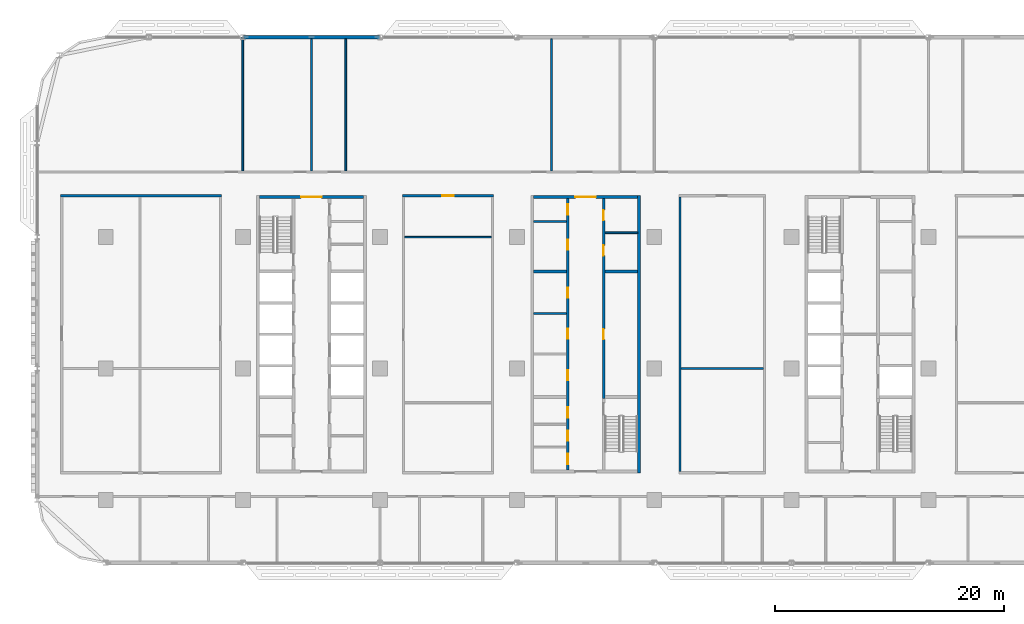
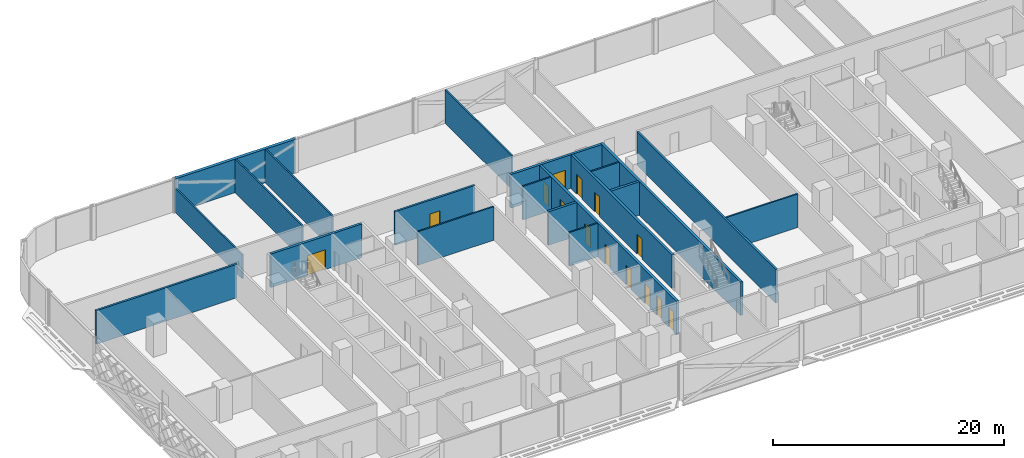
# One storey, part 15 of 29: 20 walls, 14 doors, 14 openings.
"""IFC4 building model written with IfcOpenShell, lengths in metres."""

from ifc_helpers import new_model, si_unit, direction, frame, frame_2d, origin, place, context, subcontext, project, spatial, rectangle, extrude, material, layer, layer_set, type_object, element, fill, save


model = new_model("IFC4")

# Units and contexts
model_context = context("Model", 3, precision=1e-05, world=origin(), true_north=direction((0.0, 1.0)))
body_context = subcontext(model_context, "Body", "Model", "MODEL_VIEW")
ifc_project = project(units=[si_unit("LENGTHUNIT", "METRE"), si_unit("AREAUNIT", "SQUARE_METRE"), si_unit("VOLUMEUNIT", "CUBIC_METRE"), si_unit("PLANEANGLEUNIT", "RADIAN"), si_unit("MASSUNIT", "GRAM", prefix="KILO")], contexts=[model_context])

# Site, building, storey
site_placement = place(None, origin())
site = spatial("IfcSite", under=ifc_project, at=site_placement, CompositionType="ELEMENT")
building_placement = place(site_placement, origin())
building = spatial("IfcBuilding", under=site, at=building_placement, Name="Mahtab Terrace Research Tower", CompositionType="ELEMENT")
storey_placement = place(building_placement, frame((0.0, 0.0, 150.699951171875)))
storey = spatial("IfcBuildingStorey", under=building, at=storey_placement, Name="L35", CompositionType="ELEMENT", Elevation=150.699951171875)

# Walls
ifc_material_1 = material(Name="Gypsum board partition")
ifc_layer_1 = layer(ifc_material_1, 0.14990234375)
ifc_layer_set_1 = layer_set([ifc_layer_1], Name="Core partition 150")
wall_type_1 = type_object("IfcWallType", Name="Core partition 150", PredefinedType="PARTITIONING", material=ifc_layer_set_1)
for number, where, z_axis, x_axis, name in (
    (1, (-4.550048828125, 4.827392578125, 0.0), (0.0, 0.0, 1.0), (1.0, 0.0, 0.0), "Core wall B pWL183"),
    (2, (-4.550048828125, 12.875, 0.0), (0.0, 0.0, 1.0), (1.0, 0.0, 0.0), "Core wall B pWN988"),
    (3, (1.699951171875, 11.875, 0.0), (0.0, 0.0, 1.0), (1.0, 0.0, 0.0), "Core wall B pEN888"),
):
    element("IfcWall", number, at=place(storey_placement, frame(where, z_axis=z_axis, x_axis=x_axis)), inside=storey, type_object=wall_type_1, Name=name, PredefinedType="PARTITIONING", context=body_context, shape_type="SweptSolid", body=[
        extrude(rectangle(XDim=2.85009765625, YDim=0.14990234375, at=frame_2d((1.425048828125, 0.0))), origin(), (0.0, 0.0, 1.0), 3.550048828125),
    ])

# Wall, opening, door
ifc_material_2 = material(Name="Concrete C70/85", Category="concrete")
ifc_layer_2 = layer(ifc_material_2, 0.25)
ifc_layer_set_2 = layer_set([ifc_layer_2], Name="Core wall 250")
wall_type_2 = type_object("IfcWallType", Name="Core wall 250", PredefinedType="SOLIDWALL", material=ifc_layer_set_2)
wall_1_placement = place(storey_placement, frame((-28.550048828125, 15.0, 0.0), z_axis=(0.0, 0.0, 1.0), x_axis=(1.0, 0.0, 0.0)))
wall_1 = element("IfcWall", 4, at=wall_1_placement, inside=storey, type_object=wall_type_2, Name="Core wall A endN", PredefinedType="SOLIDWALL", context=body_context, shape_type="SweptSolid", body=[
    extrude(rectangle(XDim=9.10009765625, YDim=0.25, at=frame_2d((4.550048828125, 0.0))), origin(), (0.0, 0.0, 1.0), 3.550048828125),
])
opening_1_placement = place(wall_1_placement, frame((3.64990234375, 0.0, 0.0)))
opening_1 = element("IfcOpeningElement", 5, at=opening_1_placement, cuts=wall_1, Name="Opening A-N1", PredefinedType="OPENING", context=body_context, shape_type="SweptSolid", body=[
    extrude(rectangle(XDim=1.800048828125, YDim=2.10009765625, at=frame_2d((0.89990234375, 1.050048828125))), frame((0.0, 0.135009765625, 0.0), z_axis=(0.0, -1.0, 0.0), x_axis=(1.0, 0.0, 0.0)), (0.0, 0.0, 1.0), 0.27001953125),
])
ifc_material_3 = material(Name="Steel fire door", Category="steel")
door_type_1 = type_object("IfcDoorType", Name="Lobby double door 1800x2100 1 HR", OperationType="DOUBLE_DOOR_SINGLE_SWING", PredefinedType="DOOR", material=ifc_material_3)
door_1_placement = place(opening_1_placement, origin())
door_1 = element("IfcDoor", 6, at=door_1_placement, inside=storey, type_object=door_type_1, Name="Core entrance door A N", OperationType="DOUBLE_DOOR_SINGLE_SWING", OverallHeight=2.10009765625, OverallWidth=1.800048828125, PredefinedType="DOOR", context=body_context, shape_type="SweptSolid", body=[
    extrude(rectangle(XDim=1.800048828125, YDim=2.10009765625, at=frame_2d((0.89990234375, 1.050048828125))), frame((0.0, 0.02490234375, 0.0), z_axis=(0.0, -1.0, 0.0), x_axis=(1.0, 0.0, 0.0)), (0.0, 0.0, 1.0), 0.050048828125),
])
fill(opening_1, door_1)

# Wall
wall_2_placement = place(storey_placement, frame((4.675048828125, -9.125, 0.0), z_axis=(0.0, 0.0, 1.0), x_axis=(0.0, 1.0, 0.0)))
element("IfcWall", 7, at=wall_2_placement, inside=storey, type_object=wall_type_2, Name="Core wall B outerE", PredefinedType="SOLIDWALL", context=body_context, shape_type="SweptSolid", body=[
    extrude(rectangle(XDim=24.25, YDim=0.25, at=frame_2d((12.125, 0.0))), origin(), (0.0, 0.0, 1.0), 3.550048828125),
])

# Wall, opening, door
wall_3_placement = place(storey_placement, frame((-4.550048828125, 15.0, 0.0), z_axis=(0.0, 0.0, 1.0), x_axis=(1.0, 0.0, 0.0)))
wall_3 = element("IfcWall", 8, at=wall_3_placement, inside=storey, type_object=wall_type_2, Name="Core wall B endN", PredefinedType="SOLIDWALL", context=body_context, shape_type="SweptSolid", body=[
    extrude(rectangle(XDim=9.10009765625, YDim=0.25, at=frame_2d((4.550048828125, 0.0))), origin(), (0.0, 0.0, 1.0), 3.550048828125),
])
opening_2_placement = place(wall_3_placement, frame((3.64990234375, 0.0, 0.0)))
opening_2 = element("IfcOpeningElement", 9, at=opening_2_placement, cuts=wall_3, Name="Opening B-N1", PredefinedType="OPENING", context=body_context, shape_type="SweptSolid", body=[
    extrude(rectangle(XDim=1.800048828125, YDim=2.10009765625, at=frame_2d((0.89990234375, 1.050048828125))), frame((0.0, 0.135009765625, 0.0), z_axis=(0.0, -1.0, 0.0), x_axis=(1.0, 0.0, 0.0)), (0.0, 0.0, 1.0), 0.27001953125),
])
door_2_placement = place(opening_2_placement, origin())
door_2 = element("IfcDoor", 10, at=door_2_placement, inside=storey, type_object=door_type_1, Name="Core entrance door B N", OperationType="DOUBLE_DOOR_SINGLE_SWING", OverallHeight=2.10009765625, OverallWidth=1.800048828125, PredefinedType="DOOR", context=body_context, shape_type="SweptSolid", body=[
    extrude(rectangle(XDim=1.800048828125, YDim=2.10009765625, at=frame_2d((0.89990234375, 1.050048828125))), frame((0.0, 0.02490234375, 0.0), z_axis=(0.0, -1.0, 0.0), x_axis=(1.0, 0.0, 0.0)), (0.0, 0.0, 1.0), 0.050048828125),
])
fill(opening_2, door_2)

# Wall, openings, doors
wall_4_placement = place(storey_placement, frame((-1.574951171875, -8.875, 0.0), z_axis=(0.0, 0.0, 1.0), x_axis=(0.0, 1.0, 0.0)))
wall_4 = element("IfcWall", 11, at=wall_4_placement, inside=storey, type_object=wall_type_2, Name="Core wall B innerWSLN", PredefinedType="SOLIDWALL", context=body_context, shape_type="SweptSolid", body=[
    extrude(rectangle(XDim=23.75, YDim=0.25, at=frame_2d((11.875, 0.0))), origin(), (0.0, 0.0, 1.0), 3.550048828125),
])
opening_3_placement = place(wall_4_placement, frame((7.840087890625, 0.0, 0.0)))
opening_3 = element("IfcOpeningElement", 12, at=opening_3_placement, cuts=wall_4, Name="Opening B-R1", PredefinedType="OPENING", context=body_context, shape_type="SweptSolid", body=[
    extrude(rectangle(XDim=0.89990234375, YDim=2.10009765625, at=frame_2d((0.449951171875, 1.050048828125))), frame((0.0, 0.135009765625, 0.0), z_axis=(0.0, -1.0, 0.0), x_axis=(1.0, 0.0, 0.0)), (0.0, 0.0, 1.0), 0.27001953125),
])
opening_4_placement = place(wall_4_placement, frame((11.478759765625, 0.0, 0.0)))
opening_4 = element("IfcOpeningElement", 13, at=opening_4_placement, cuts=wall_4, Name="Opening B-R2", PredefinedType="OPENING", context=body_context, shape_type="SweptSolid", body=[
    extrude(rectangle(XDim=0.89990234375, YDim=2.10009765625, at=frame_2d((0.449951171875, 1.050048828125))), frame((0.0, 0.135009765625, 0.0), z_axis=(0.0, -1.0, 0.0), x_axis=(1.0, 0.0, 0.0)), (0.0, 0.0, 1.0), 0.27001953125),
])
opening_5_placement = place(wall_4_placement, frame((15.063720703125, 0.0, 0.0)))
opening_5 = element("IfcOpeningElement", 14, at=opening_5_placement, cuts=wall_4, Name="Opening B-R3", PredefinedType="OPENING", context=body_context, shape_type="SweptSolid", body=[
    extrude(rectangle(XDim=0.89990234375, YDim=2.10009765625, at=frame_2d((0.449951171875, 1.050048828125))), frame((0.0, 0.135009765625, 0.0), z_axis=(0.0, -1.0, 0.0), x_axis=(1.0, 0.0, 0.0)), (0.0, 0.0, 1.0), 0.27001953125),
])
opening_6_placement = place(wall_4_placement, frame((0.512451171875, 0.0, 0.0)))
opening_6 = element("IfcOpeningElement", 15, at=opening_6_placement, cuts=wall_4, Name="Opening B-R5", PredefinedType="OPENING", context=body_context, shape_type="SweptSolid", body=[
    extrude(rectangle(XDim=0.89990234375, YDim=2.10009765625, at=frame_2d((0.449951171875, 1.050048828125))), frame((0.0, 0.135009765625, 0.0), z_axis=(0.0, -1.0, 0.0), x_axis=(1.0, 0.0, 0.0)), (0.0, 0.0, 1.0), 0.27001953125),
])
opening_7_placement = place(wall_4_placement, frame((2.550048828125, 0.0, 0.0)))
opening_7 = element("IfcOpeningElement", 16, at=opening_7_placement, cuts=wall_4, Name="Opening B-R6", PredefinedType="OPENING", context=body_context, shape_type="SweptSolid", body=[
    extrude(rectangle(XDim=0.89990234375, YDim=2.10009765625, at=frame_2d((0.449951171875, 1.050048828125))), frame((0.0, 0.135009765625, 0.0), z_axis=(0.0, -1.0, 0.0), x_axis=(1.0, 0.0, 0.0)), (0.0, 0.0, 1.0), 0.27001953125),
])
opening_8_placement = place(wall_4_placement, frame((4.58740234375, 0.0, 0.0)))
opening_8 = element("IfcOpeningElement", 17, at=opening_8_placement, cuts=wall_4, Name="Opening B-R7", PredefinedType="OPENING", context=body_context, shape_type="SweptSolid", body=[
    extrude(rectangle(XDim=0.89990234375, YDim=2.10009765625, at=frame_2d((0.449951171875, 1.050048828125))), frame((0.0, 0.135009765625, 0.0), z_axis=(0.0, -1.0, 0.0), x_axis=(1.0, 0.0, 0.0)), (0.0, 0.0, 1.0), 0.27001953125),
])
opening_9_placement = place(wall_4_placement, frame((19.262451171875, 0.0, 0.0)))
opening_9 = element("IfcOpeningElement", 18, at=opening_9_placement, cuts=wall_4, Name="Opening B-R8", PredefinedType="OPENING", context=body_context, shape_type="SweptSolid", body=[
    extrude(rectangle(XDim=0.89990234375, YDim=2.10009765625, at=frame_2d((0.449951171875, 1.050048828125))), frame((0.0, 0.135009765625, 0.0), z_axis=(0.0, -1.0, 0.0), x_axis=(1.0, 0.0, 0.0)), (0.0, 0.0, 1.0), 0.27001953125),
])
opening_10_placement = place(wall_4_placement, frame((22.33740234375, 0.0, 0.0)))
opening_10 = element("IfcOpeningElement", 19, at=opening_10_placement, cuts=wall_4, Name="Opening B-R9", PredefinedType="OPENING", context=body_context, shape_type="SweptSolid", body=[
    extrude(rectangle(XDim=0.89990234375, YDim=2.10009765625, at=frame_2d((0.449951171875, 1.050048828125))), frame((0.0, 0.135009765625, 0.0), z_axis=(0.0, -1.0, 0.0), x_axis=(1.0, 0.0, 0.0)), (0.0, 0.0, 1.0), 0.27001953125),
])
door_type_2 = type_object("IfcDoorType", Name="Room door 900x2100 1 HR", OperationType="NOTDEFINED", PredefinedType="DOOR", material=ifc_material_3)
door_3_placement = place(opening_3_placement, origin())
door_3 = element("IfcDoor", 20, at=door_3_placement, inside=storey, type_object=door_type_2, Name="Battery room door", OperationType="SINGLE_SWING_LEFT", OverallHeight=2.10009765625, OverallWidth=0.89990234375, PredefinedType="DOOR", context=body_context, shape_type="SweptSolid", body=[
    extrude(rectangle(XDim=0.89990234375, YDim=2.10009765625, at=frame_2d((0.449951171875, 1.050048828125))), frame((0.0, 0.02490234375, 0.0), z_axis=(0.0, -1.0, 0.0), x_axis=(1.0, 0.0, 0.0)), (0.0, 0.0, 1.0), 0.050048828125),
])
fill(opening_3, door_3)
door_4_placement = place(opening_4_placement, origin())
door_4 = element("IfcDoor", 21, at=door_4_placement, inside=storey, type_object=door_type_2, Name="Cooling plant room door", OperationType="SINGLE_SWING_RIGHT", OverallHeight=2.10009765625, OverallWidth=0.89990234375, PredefinedType="DOOR", context=body_context, shape_type="SweptSolid", body=[
    extrude(rectangle(XDim=0.89990234375, YDim=2.10009765625, at=frame_2d((0.449951171875, 1.050048828125))), frame((0.0, 0.02490234375, 0.0), z_axis=(0.0, -1.0, 0.0), x_axis=(1.0, 0.0, 0.0)), (0.0, 0.0, 1.0), 0.050048828125),
])
fill(opening_4, door_4)
door_5_placement = place(opening_5_placement, origin())
door_5 = element("IfcDoor", 22, at=door_5_placement, inside=storey, type_object=door_type_2, Name="Spare parts store door", OperationType="SINGLE_SWING_LEFT", OverallHeight=2.10009765625, OverallWidth=0.89990234375, PredefinedType="DOOR", context=body_context, shape_type="SweptSolid", body=[
    extrude(rectangle(XDim=0.89990234375, YDim=2.10009765625, at=frame_2d((0.449951171875, 1.050048828125))), frame((0.0, 0.02490234375, 0.0), z_axis=(0.0, -1.0, 0.0), x_axis=(1.0, 0.0, 0.0)), (0.0, 0.0, 1.0), 0.050048828125),
])
fill(opening_5, door_5)
door_6_placement = place(opening_6_placement, origin())
door_6 = element("IfcDoor", 23, at=door_6_placement, inside=storey, type_object=door_type_2, Name="Comms riser room door", OperationType="SINGLE_SWING_LEFT", OverallHeight=2.10009765625, OverallWidth=0.89990234375, PredefinedType="DOOR", context=body_context, shape_type="SweptSolid", body=[
    extrude(rectangle(XDim=0.89990234375, YDim=2.10009765625, at=frame_2d((0.449951171875, 1.050048828125))), frame((0.0, 0.02490234375, 0.0), z_axis=(0.0, -1.0, 0.0), x_axis=(1.0, 0.0, 0.0)), (0.0, 0.0, 1.0), 0.050048828125),
])
fill(opening_6, door_6)
door_7_placement = place(opening_7_placement, origin())
door_7 = element("IfcDoor", 24, at=door_7_placement, inside=storey, type_object=door_type_2, Name="Pantry door", OperationType="SINGLE_SWING_RIGHT", OverallHeight=2.10009765625, OverallWidth=0.89990234375, PredefinedType="DOOR", context=body_context, shape_type="SweptSolid", body=[
    extrude(rectangle(XDim=0.89990234375, YDim=2.10009765625, at=frame_2d((0.449951171875, 1.050048828125))), frame((0.0, 0.02490234375, 0.0), z_axis=(0.0, -1.0, 0.0), x_axis=(1.0, 0.0, 0.0)), (0.0, 0.0, 1.0), 0.050048828125),
])
fill(opening_7, door_7)
door_8_placement = place(opening_8_placement, origin())
door_8 = element("IfcDoor", 25, at=door_8_placement, inside=storey, type_object=door_type_2, Name="Cleaners store door", OperationType="SINGLE_SWING_LEFT", OverallHeight=2.10009765625, OverallWidth=0.89990234375, PredefinedType="DOOR", context=body_context, shape_type="SweptSolid", body=[
    extrude(rectangle(XDim=0.89990234375, YDim=2.10009765625, at=frame_2d((0.449951171875, 1.050048828125))), frame((0.0, 0.02490234375, 0.0), z_axis=(0.0, -1.0, 0.0), x_axis=(1.0, 0.0, 0.0)), (0.0, 0.0, 1.0), 0.050048828125),
])
fill(opening_8, door_8)
door_9_placement = place(opening_9_placement, origin())
door_9 = element("IfcDoor", 26, at=door_9_placement, inside=storey, type_object=door_type_2, Name="IT equipment room door", OperationType="SINGLE_SWING_RIGHT", OverallHeight=2.10009765625, OverallWidth=0.89990234375, PredefinedType="DOOR", context=body_context, shape_type="SweptSolid", body=[
    extrude(rectangle(XDim=0.89990234375, YDim=2.10009765625, at=frame_2d((0.449951171875, 1.050048828125))), frame((0.0, 0.02490234375, 0.0), z_axis=(0.0, -1.0, 0.0), x_axis=(1.0, 0.0, 0.0)), (0.0, 0.0, 1.0), 0.050048828125),
])
fill(opening_9, door_9)
door_10_placement = place(opening_10_placement, origin())
door_10 = element("IfcDoor", 27, at=door_10_placement, inside=storey, type_object=door_type_2, Name="Electrical riser room door", OperationType="SINGLE_SWING_LEFT", OverallHeight=2.10009765625, OverallWidth=0.89990234375, PredefinedType="DOOR", context=body_context, shape_type="SweptSolid", body=[
    extrude(rectangle(XDim=0.89990234375, YDim=2.10009765625, at=frame_2d((0.449951171875, 1.050048828125))), frame((0.0, 0.02490234375, 0.0), z_axis=(0.0, -1.0, 0.0), x_axis=(1.0, 0.0, 0.0)), (0.0, 0.0, 1.0), 0.050048828125),
])
fill(opening_10, door_10)

wall_5_placement = place(storey_placement, frame((1.574951171875, 14.875, 0.0), z_axis=(0.0, 0.0, 1.0), x_axis=(0.0, -1.0, 0.0)))
wall_5 = element("IfcWall", 28, at=wall_5_placement, inside=storey, type_object=wall_type_2, Name="Core wall B innerELN", PredefinedType="SOLIDWALL", context=body_context, shape_type="SweptSolid", body=[
    extrude(rectangle(XDim=17.5, YDim=0.25, at=frame_2d((8.75, 0.0))), origin(), (0.0, 0.0, 1.0), 3.550048828125),
])
opening_11_placement = place(wall_5_placement, frame((11.425048828125, 0.0, 0.0)))
opening_11 = element("IfcOpeningElement", 29, at=opening_11_placement, cuts=wall_5, Name="Opening B-R4", PredefinedType="OPENING", context=body_context, shape_type="SweptSolid", body=[
    extrude(rectangle(XDim=0.89990234375, YDim=2.10009765625, at=frame_2d((0.449951171875, 1.050048828125))), frame((0.0, 0.135009765625, 0.0), z_axis=(0.0, -1.0, 0.0), x_axis=(1.0, 0.0, 0.0)), (0.0, 0.0, 1.0), 0.27001953125),
])
opening_12_placement = place(wall_5_placement, frame((4.08740234375, 0.0, 0.0)))
opening_12 = element("IfcOpeningElement", 30, at=opening_12_placement, cuts=wall_5, Name="Opening B-R10", PredefinedType="OPENING", context=body_context, shape_type="SweptSolid", body=[
    extrude(rectangle(XDim=0.89990234375, YDim=2.10009765625, at=frame_2d((0.449951171875, 1.050048828125))), frame((0.0, 0.135009765625, 0.0), z_axis=(0.0, -1.0, 0.0), x_axis=(1.0, 0.0, 0.0)), (0.0, 0.0, 1.0), 0.27001953125),
])
opening_13_placement = place(wall_5_placement, frame((1.012451171875, 0.0, 0.0)))
opening_13 = element("IfcOpeningElement", 31, at=opening_13_placement, cuts=wall_5, Name="Opening B-R11", PredefinedType="OPENING", context=body_context, shape_type="SweptSolid", body=[
    extrude(rectangle(XDim=0.89990234375, YDim=2.10009765625, at=frame_2d((0.449951171875, 1.050048828125))), frame((0.0, 0.135009765625, 0.0), z_axis=(0.0, -1.0, 0.0), x_axis=(1.0, 0.0, 0.0)), (0.0, 0.0, 1.0), 0.27001953125),
])
door_11_placement = place(opening_11_placement, origin())
door_11 = element("IfcDoor", 32, at=door_11_placement, inside=storey, type_object=door_type_2, Name="Plant room door", OperationType="SINGLE_SWING_RIGHT", OverallHeight=2.10009765625, OverallWidth=0.89990234375, PredefinedType="DOOR", context=body_context, shape_type="SweptSolid", body=[
    extrude(rectangle(XDim=0.89990234375, YDim=2.10009765625, at=frame_2d((0.449951171875, 1.050048828125))), frame((0.0, 0.02490234375, 0.0), z_axis=(0.0, -1.0, 0.0), x_axis=(1.0, 0.0, 0.0)), (0.0, 0.0, 1.0), 0.050048828125),
])
fill(opening_11, door_11)
door_12_placement = place(opening_12_placement, origin())
door_12 = element("IfcDoor", 33, at=door_12_placement, inside=storey, type_object=door_type_2, Name="Staff WC door", OperationType="SINGLE_SWING_RIGHT", OverallHeight=2.10009765625, OverallWidth=0.89990234375, PredefinedType="DOOR", context=body_context, shape_type="SweptSolid", body=[
    extrude(rectangle(XDim=0.89990234375, YDim=2.10009765625, at=frame_2d((0.449951171875, 1.050048828125))), frame((0.0, 0.02490234375, 0.0), z_axis=(0.0, -1.0, 0.0), x_axis=(1.0, 0.0, 0.0)), (0.0, 0.0, 1.0), 0.050048828125),
])
fill(opening_12, door_12)
door_13_placement = place(opening_13_placement, origin())
door_13 = element("IfcDoor", 34, at=door_13_placement, inside=storey, type_object=door_type_2, Name="Accessible WC door", OperationType="SINGLE_SWING_LEFT", OverallHeight=2.10009765625, OverallWidth=0.89990234375, PredefinedType="DOOR", context=body_context, shape_type="SweptSolid", body=[
    extrude(rectangle(XDim=0.89990234375, YDim=2.10009765625, at=frame_2d((0.449951171875, 1.050048828125))), frame((0.0, 0.02490234375, 0.0), z_axis=(0.0, -1.0, 0.0), x_axis=(1.0, 0.0, 0.0)), (0.0, 0.0, 1.0), 0.050048828125),
])
fill(opening_13, door_13)

# Walls
for number, where, z_axis, x_axis, name in (
    (35, (-4.550048828125, 8.5, 0.0), (0.0, 0.0, 1.0), (1.0, 0.0, 0.0), "Core wall B divW4"),
    (36, (1.699951171875, 8.5, 0.0), (0.0, 0.0, 1.0), (1.0, 0.0, 0.0), "Core wall B divE4"),
):
    element("IfcWall", number, at=place(storey_placement, frame(where, z_axis=z_axis, x_axis=x_axis)), inside=storey, type_object=wall_type_2, Name=name, PredefinedType="SOLIDWALL", context=body_context, shape_type="SweptSolid", body=[
        extrude(rectangle(XDim=2.85009765625, YDim=0.25, at=frame_2d((1.425048828125, 0.0))), origin(), (0.0, 0.0, 1.0), 3.550048828125),
    ])
ifc_material_4 = material(Name="Black aluminium cladding panel", Category="aluminium")
ifc_layer_3 = layer(ifc_material_4, 0.300048828125)
ifc_layer_set_3 = layer_set([ifc_layer_3], Name="Opaque facade wall 300")
wall_type_3 = type_object("IfcWallType", Name="Opaque facade wall 300", PredefinedType="NOTDEFINED", material=ifc_layer_set_3)
wall_6_placement = place(storey_placement, frame((-18.017822265625, 29.0, 0.0), z_axis=(0.0, 0.0, 1.0), x_axis=(-1.0, 0.0, 0.0)))
element("IfcWall", 37, at=wall_6_placement, inside=storey, type_object=wall_type_3, Name="Opaque facade wall L35 N8", PredefinedType="NOTDEFINED", context=body_context, shape_type="SweptSolid", body=[
    extrude(rectangle(XDim=11.96435546875, YDim=0.300048828125, at=frame_2d((5.982177734375, 0.0))), origin(), (0.0, 0.0, 1.0), 3.550048828125),
])
ifc_material_5 = material(Name="Gypsum board corridor wall on steel studs", Category="steel")
ifc_layer_4 = layer(ifc_material_5, 0.199951171875)
ifc_layer_set_4 = layer_set([ifc_layer_4], Name="WALL CORRIDOR 200")
wall_type_4 = type_object("IfcWallType", Name="WALL CORRIDOR 200", PredefinedType="PARTITIONING", material=ifc_layer_set_4)
wall_7_placement = place(storey_placement, frame((-45.949951171875, 15.125, 0.0), z_axis=(0.0, 0.0, 1.0), x_axis=(1.0, 0.0, 0.0)))
element("IfcWall", 38, at=wall_7_placement, inside=storey, type_object=wall_type_4, Name="L35-W022", PredefinedType="PARTITIONING", context=body_context, shape_type="SweptSolid", body=[
    extrude(rectangle(XDim=14.099853515625, YDim=0.199951171875, at=frame_2d((7.0498046875, 0.0))), origin(), (0.0, 0.0, 1.0), 3.550048828125),
])

# Wall, opening, door
wall_8_placement = place(storey_placement, frame((-16.050048828125, 15.125, 0.0), z_axis=(0.0, 0.0, 1.0), x_axis=(1.0, 0.0, 0.0)))
wall_8 = element("IfcWall", 39, at=wall_8_placement, inside=storey, type_object=wall_type_4, Name="L35-W023", PredefinedType="PARTITIONING", context=body_context, shape_type="SweptSolid", body=[
    extrude(rectangle(XDim=8.0, YDim=0.199951171875, at=frame_2d((4.0, 0.0))), origin(), (0.0, 0.0, 1.0), 3.550048828125),
])
opening_14_placement = place(wall_8_placement, frame((3.5, 0.0, 0.0)))
opening_14 = element("IfcOpeningElement", 40, at=opening_14_placement, cuts=wall_8, Name="Opening L35-128", PredefinedType="OPENING", context=body_context, shape_type="SweptSolid", body=[
    extrude(rectangle(XDim=1.0, YDim=2.10009765625, at=frame_2d((0.5, 1.050048828125))), frame((0.0, 0.10986328125, 0.0), z_axis=(0.0, -1.0, 0.0), x_axis=(1.0, 0.0, 0.0)), (0.0, 0.0, 1.0), 0.219970703125),
])
ifc_material_6 = material(Name="Timber door leaf in steel frame", Category="steel")
door_type_3 = type_object("IfcDoorType", Name="DOOR 1000X2100 FD30S", OperationType="SINGLE_SWING_LEFT", PredefinedType="DOOR", material=ifc_material_6)
door_14_placement = place(opening_14_placement, origin())
door_14 = element("IfcDoor", 41, at=door_14_placement, inside=storey, type_object=door_type_3, Name="Door L35-128", OperationType="SINGLE_SWING_RIGHT", OverallHeight=2.10009765625, OverallWidth=1.0, PredefinedType="DOOR", context=body_context, shape_type="SweptSolid", body=[
    extrude(rectangle(XDim=1.0, YDim=2.10009765625, at=frame_2d((0.5, 1.050048828125))), frame((0.0, 0.02490234375, 0.0), z_axis=(0.0, -1.0, 0.0), x_axis=(1.0, 0.0, 0.0)), (0.0, 0.0, 1.0), 0.050048828125),
])
fill(opening_14, door_14)

# Walls
wall_9_placement = place(storey_placement, frame((8.25, -9.02490234375, 0.0), z_axis=(0.0, 0.0, 1.0), x_axis=(0.0, 1.0, 0.0)))
element("IfcWall", 42, at=wall_9_placement, inside=storey, type_object=wall_type_4, Name="L35-W046", PredefinedType="PARTITIONING", context=body_context, shape_type="SweptSolid", body=[
    extrude(rectangle(XDim=24.0498046875, YDim=0.199951171875, at=frame_2d((12.02490234375, 0.0))), origin(), (0.0, 0.0, 1.0), 3.550048828125),
])
ifc_material_7 = material(Name="Gypsum board partition on steel studs", Category="steel")
ifc_layer_5 = layer(ifc_material_7, 0.14990234375)
ifc_layer_set_5 = layer_set([ifc_layer_5], Name="WALL PARTITION 150")
wall_type_5 = type_object("IfcWallType", Name="WALL PARTITION 150", PredefinedType="PARTITIONING", material=ifc_layer_set_5)
wall_10_placement = place(storey_placement, frame((8.35009765625, 0.0, 0.0), z_axis=(0.0, 0.0, 1.0), x_axis=(1.0, 0.0, 0.0)))
element("IfcWall", 43, at=wall_10_placement, inside=storey, type_object=wall_type_5, Name="L35-W018", PredefinedType="PARTITIONING", context=body_context, shape_type="SweptSolid", body=[
    extrude(rectangle(XDim=7.199951171875, YDim=0.14990234375, at=frame_2d((3.60009765625, 0.0))), origin(), (0.0, 0.0, 1.0), 3.550048828125),
])
wall_11_placement = place(storey_placement, frame((-15.85009765625, 11.5, 0.0), z_axis=(0.0, 0.0, 1.0), x_axis=(1.0, 0.0, 0.0)))
element("IfcWall", 44, at=wall_11_placement, inside=storey, type_object=wall_type_5, Name="L35-W019", PredefinedType="PARTITIONING", context=body_context, shape_type="SweptSolid", body=[
    extrude(rectangle(XDim=7.60009765625, YDim=0.14990234375, at=frame_2d((3.800048828125, 0.0))), origin(), (0.0, 0.0, 1.0), 3.550048828125),
])
wall_12_placement = place(storey_placement, frame((-30.0, 17.300048828125, 0.0), z_axis=(0.0, 0.0, 1.0), x_axis=(0.0, 1.0, 0.0)))
element("IfcWall", 45, at=wall_12_placement, inside=storey, type_object=wall_type_5, Name="L35-W032", PredefinedType="PARTITIONING", context=body_context, shape_type="SweptSolid", body=[
    extrude(rectangle(XDim=11.675048828125, YDim=0.14990234375, at=frame_2d((5.83740234375, 0.0))), origin(), (0.0, 0.0, 1.0), 2.55126953125),
])
for number, where, z_axis, x_axis, name in (
    (46, (-24.0, 17.300048828125, 0.0), (0.0, 0.0, 1.0), (0.0, 1.0, 0.0), "L35-W034"),
    (47, (-21.0, 17.300048828125, 0.0), (0.0, 0.0, 1.0), (0.0, 1.0, 0.0), "L35-W035"),
    (48, (-3.0, 17.300048828125, 0.0), (0.0, 0.0, 1.0), (0.0, 1.0, 0.0), "L35-W041"),
):
    element("IfcWall", number, at=place(storey_placement, frame(where, z_axis=z_axis, x_axis=x_axis)), inside=storey, type_object=wall_type_5, Name=name, PredefinedType="PARTITIONING", context=body_context, shape_type="SweptSolid", body=[
        extrude(rectangle(XDim=11.550048828125, YDim=0.14990234375, at=frame_2d((5.77490234375, 0.0))), origin(), (0.0, 0.0, 1.0), 3.550048828125),
    ])

save(model, "model.ifc")
